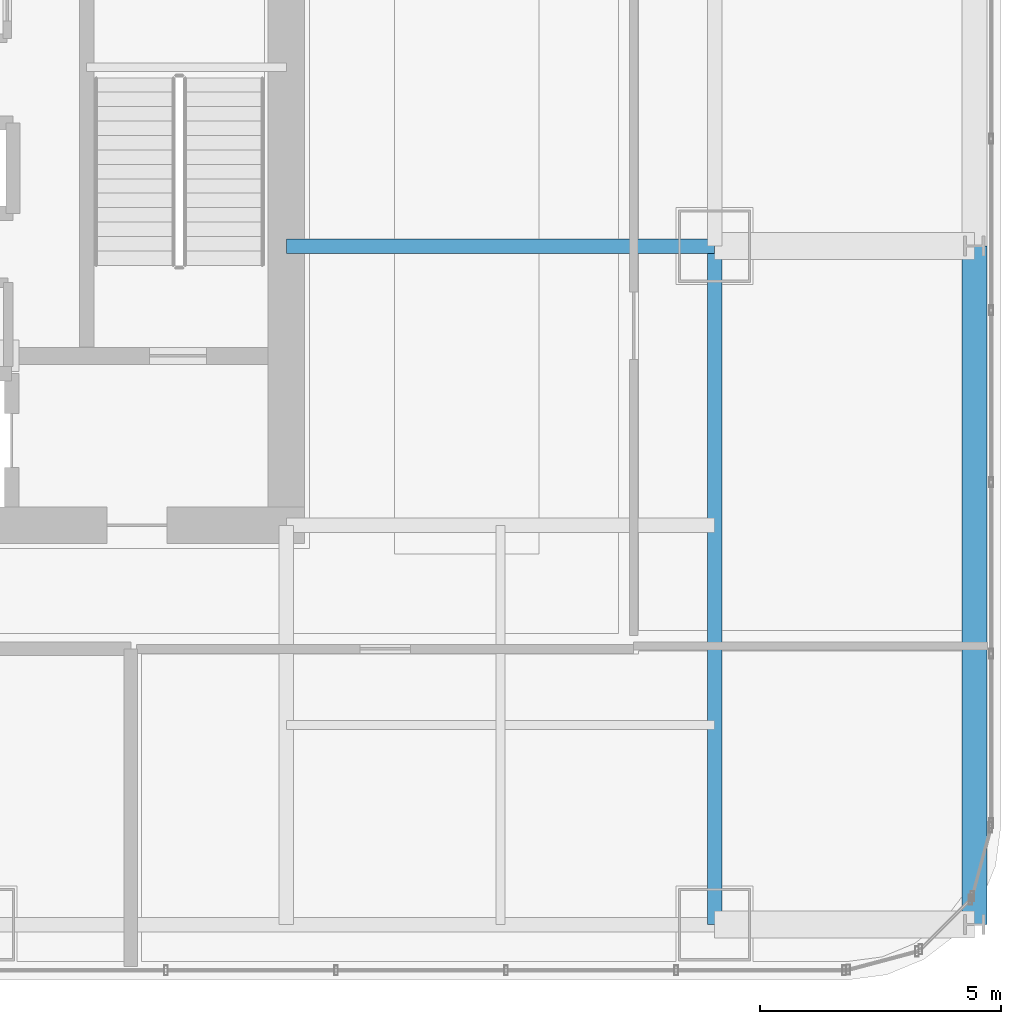
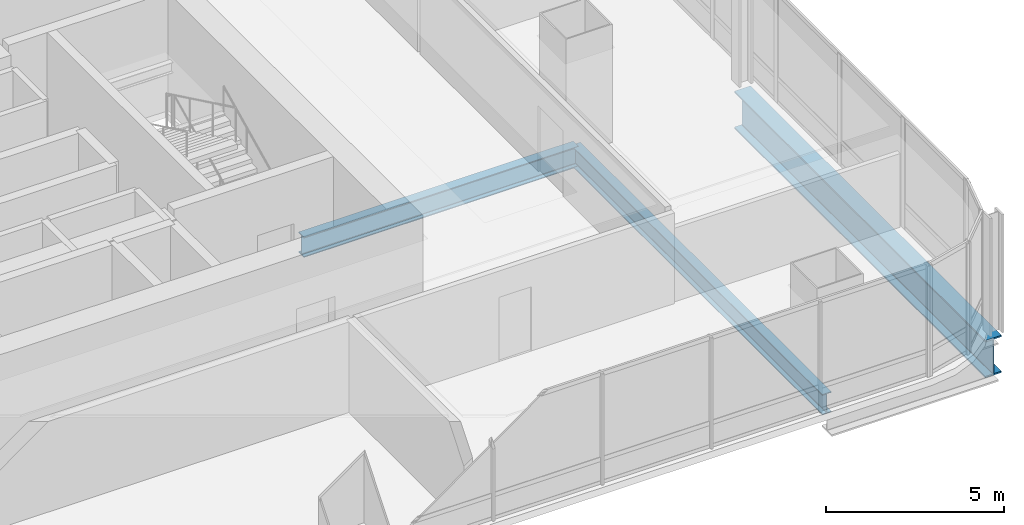
# One storey, part 14 of 34: 3 beams.
"""IFC4 building model written with IfcOpenShell, lengths in metres."""

from ifc_helpers import new_model, si_unit, direction, frame, origin, origin_2d, place, context, subcontext, project, spatial, i_section, extrude, material, material_profile, profile_set, type_object, element, save


model = new_model("IFC4")

# Units and contexts
model_context = context("Model", 3, precision=1e-05, world=origin(), true_north=direction((0.0, 1.0)))
body_context = subcontext(model_context, "Body", "Model", "MODEL_VIEW")
ifc_project = project(units=[si_unit("LENGTHUNIT", "METRE"), si_unit("AREAUNIT", "SQUARE_METRE"), si_unit("VOLUMEUNIT", "CUBIC_METRE"), si_unit("PLANEANGLEUNIT", "RADIAN"), si_unit("MASSUNIT", "GRAM", prefix="KILO")], contexts=[model_context])

# Site, building, storey
site_placement = place(None, origin())
site = spatial("IfcSite", under=ifc_project, at=site_placement, CompositionType="ELEMENT")
building_placement = place(site_placement, origin())
building = spatial("IfcBuilding", under=site, at=building_placement, Name="Punatoya Terracotta Tower", CompositionType="ELEMENT")
storey_placement = place(building_placement, frame((0.0, 0.0, 97.050048828125)))
storey = spatial("IfcBuildingStorey", under=building, at=storey_placement, Name="L22", CompositionType="ELEMENT", Elevation=97.050048828125)

# Beams
ifc_material_1 = material(Name="Steel S355", Category="steel")
ifc_material_profile_1 = material_profile(ifc_material_1, i_section(OverallWidth=0.300048828125, OverallDepth=0.699951171875, WebThickness=0.01708984375, FlangeThickness=0.031982421875, FilletRadius=0.01806640625, at=origin_2d()))
ifc_profile_set_1 = profile_set([ifc_material_profile_1], Name="Steel S355")
beam_type_1 = type_object("IfcBeamType", Name="BM-PRI-700", PredefinedType="BEAM", material=ifc_profile_set_1)
beam_1_placement = place(storey_placement, frame((19.10009765625, -17.5, -0.590087890625), z_axis=(0.0, 1.0, 0.0), x_axis=(-1.0, 0.0, 0.0)))
element("IfcBeam", 1, at=beam_1_placement, inside=storey, type_object=beam_type_1, Name="BM-L22-RG-E1", PredefinedType="BEAM", context=body_context, shape_type="SweptSolid", body=[
    extrude(i_section(OverallWidth=0.300048828125, OverallDepth=0.699951171875, WebThickness=0.01708984375, FlangeThickness=0.031982421875, FilletRadius=0.01806640625, at=origin_2d()), origin(), (0.0, 0.0, 1.0), 14.10009765625),
])
beam_2_placement = place(storey_placement, frame((10.199951171875, -3.39990234375, -0.590087890625), z_axis=(1.0, 0.0, 0.0), x_axis=(0.0, 1.0, 0.0)))
element("IfcBeam", 2, at=beam_2_placement, inside=storey, type_object=beam_type_1, Name="BM-L22-PR-ED", PredefinedType="BEAM", context=body_context, shape_type="SweptSolid", body=[
    extrude(i_section(OverallWidth=0.300048828125, OverallDepth=0.699951171875, WebThickness=0.01708984375, FlangeThickness=0.031982421875, FilletRadius=0.01806640625, at=origin_2d()), origin(), (0.0, 0.0, 1.0), 8.900146484375),
])
ifc_material_2 = material(Name="Steel S460", Category="steel")
ifc_material_profile_2 = material_profile(ifc_material_2, i_section(OverallWidth=0.52001953125, OverallDepth=1.280029296875, WebThickness=0.031982421875, FlangeThickness=0.050048828125, FilletRadius=0.01806640625, at=origin_2d()))
ifc_profile_set_2 = profile_set([ifc_material_profile_2], Name="Steel S460")
beam_type_2 = type_object("IfcBeamType", Name="BM-TG-NCK", PredefinedType="BEAM", material=ifc_profile_set_2)
beam_3_placement = place(storey_placement, frame((24.5, -17.5, -0.880126953125), z_axis=(0.0, 1.0, 0.0), x_axis=(-1.0, 0.0, 0.0)))
element("IfcBeam", 3, at=beam_3_placement, inside=storey, type_object=beam_type_2, Name="BM-L22-PER-E1", PredefinedType="BEAM", context=body_context, shape_type="SweptSolid", body=[
    extrude(i_section(OverallWidth=0.52001953125, OverallDepth=1.280029296875, WebThickness=0.031982421875, FlangeThickness=0.050048828125, FilletRadius=0.01806640625, at=origin_2d()), origin(), (0.0, 0.0, 1.0), 14.10009765625),
])

save(model, "model.ifc")
